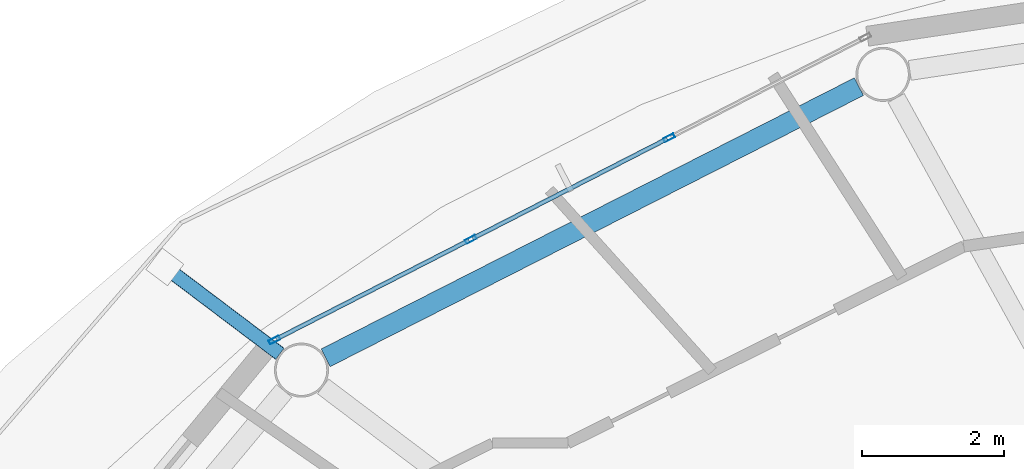
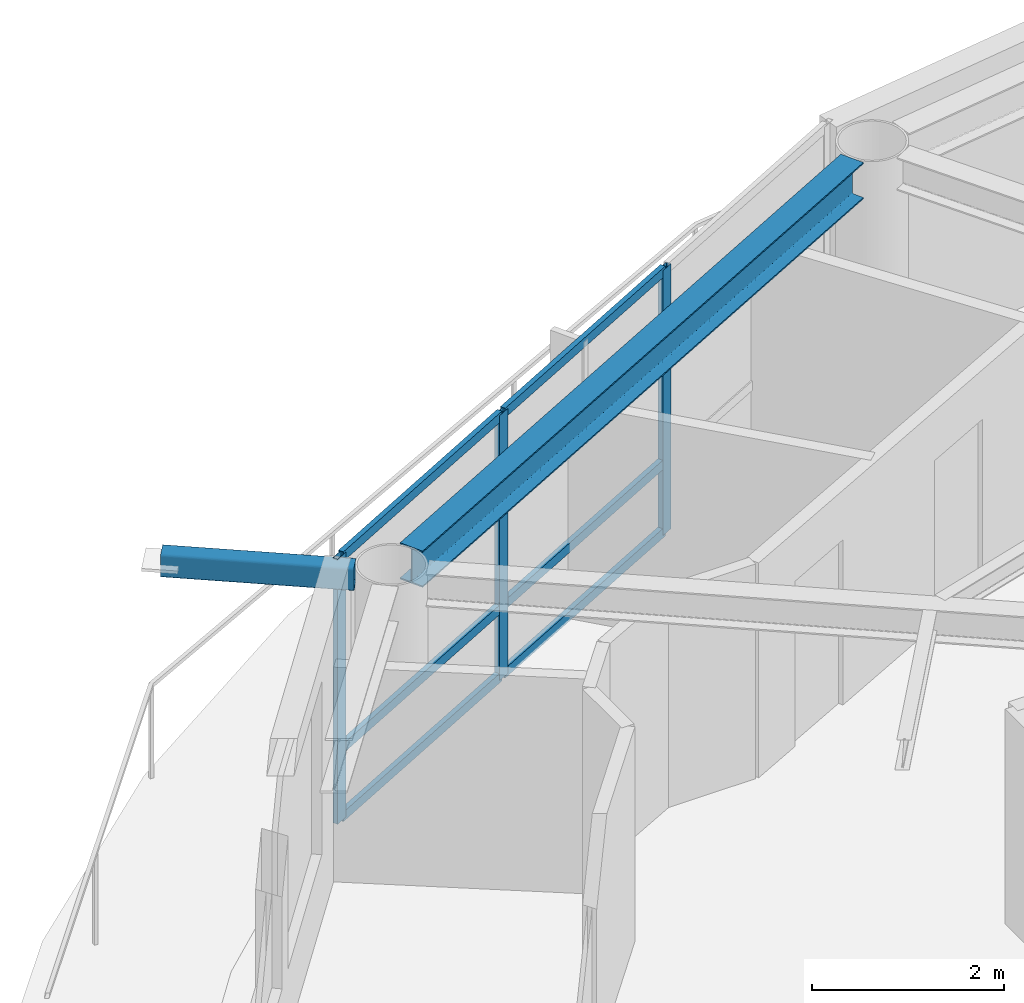
# One storey, part 8 of 22: 10 members, 1 beam, 1 element without a shape of its own.
"""IFC4 building model written with IfcOpenShell, lengths in metres."""

from ifc_helpers import new_model, si_unit, direction, frame, origin, origin_2d, place, context, subcontext, project, spatial, hollow_rectangle, i_section, extrude, material, layer, layer_set, material_profile, profile_set, type_object, element, aggregate, save


model = new_model("IFC4")

# Units and contexts
model_context = context("Model", 3, precision=1e-05, world=origin(), true_north=direction((0.0, 1.0)))
body_context = subcontext(model_context, "Body", "Model", "MODEL_VIEW")
ifc_project = project(units=[si_unit("LENGTHUNIT", "METRE"), si_unit("AREAUNIT", "SQUARE_METRE"), si_unit("VOLUMEUNIT", "CUBIC_METRE"), si_unit("PLANEANGLEUNIT", "RADIAN"), si_unit("MASSUNIT", "GRAM", prefix="KILO")], contexts=[model_context])

# Site, building, storey
site_placement = place(None, origin())
site = spatial("IfcSite", under=ifc_project, at=site_placement, CompositionType="ELEMENT")
building_placement = place(site_placement, origin())
building = spatial("IfcBuilding", under=site, at=building_placement, Name="Sarneth Arch Tower", CompositionType="ELEMENT")
storey_placement = place(building_placement, frame((0.0, 0.0, 283.800048828125)))
storey = spatial("IfcBuildingStorey", under=building, at=storey_placement, Name="L73", CompositionType="ELEMENT", Elevation=283.800048828125)

# Beam
ifc_material_1 = material(Name="Steel S355", Category="steel")
ifc_material_profile_1 = material_profile(ifc_material_1, i_section(OverallWidth=0.280029296875, OverallDepth=0.462890625, WebThickness=0.0107421875, FlangeThickness=0.017333984375, FilletRadius=0.01806640625, at=origin_2d()), Name="W460x113")
ifc_profile_set_1 = profile_set([ifc_material_profile_1], Name="Steel S355")
beam_type = type_object("IfcBeamType", Name="BM-RAD-460A", PredefinedType="BEAM", material=ifc_profile_set_1)
beam_placement = place(storey_placement, frame((37.86962890625, 59.565673828125, 3.138427734375), z_axis=(-0.891373613492, -0.453269325204, 0.0), x_axis=(0.453269325204, -0.891373613492, 0.0)))
element("IfcBeam", 1, at=beam_placement, inside=storey, type_object=beam_type, Name="L73 Perimeter spandrel beam 06", PredefinedType="BEAM", context=body_context, shape_type="SweptSolid", body=[
    extrude(i_section(OverallWidth=0.280029296875, OverallDepth=0.462890625, WebThickness=0.0107421875, FlangeThickness=0.017333984375, FilletRadius=0.01806640625, at=origin_2d()), origin(), (0.0, 0.0, 1.0), 8.419677734375),
])

# Curtain wall, members
ifc_material_2 = material(Name="Anodised aluminium Type AA25 and solar-control low-e laminated IGU", Category="aluminium")
ifc_layer = layer(ifc_material_2, 0.179931640625)
ifc_layer_set = layer_set([ifc_layer], Name="Anodised aluminium Type AA25 and solar-control low-e laminated IGU")
curtain_wall_type = type_object("IfcCurtainWallType", Name="CW-RES-HIGH", PredefinedType="NOTDEFINED", material=ifc_layer_set)
curtain_wall_placement = place(storey_placement, origin())
curtain_wall = element("IfcCurtainWall", 2, at=curtain_wall_placement, inside=storey, type_object=curtain_wall_type, Name="L73 Unitised curtain wall facet 06", PredefinedType="NOTDEFINED")
ifc_material_3 = material(Name="Anodised Aluminium 6063-T6", Category="aluminium")
ifc_material_profile_2 = material_profile(ifc_material_3, hollow_rectangle(XDim=0.06005859375, YDim=0.159912109375, WallThickness=0.00390625, at=origin_2d()), Name="AL-MULL-160x60x4")
ifc_profile_set_2 = profile_set([ifc_material_profile_2], Name="Anodised Aluminium 6063-T6")
member_type_1 = type_object("IfcMemberType", Name="CW-MULLION", PredefinedType="MULLION", material=ifc_profile_set_2)
member_1_placement = place(storey_placement, frame((35.197509765625, 58.844970703125, 0.0), z_axis=(0.0, 0.0, 1.0), x_axis=(0.455941901753, -0.890009540525, 0.0)))
member_1 = element("IfcMember", 3, at=member_1_placement, type_object=member_type_1, Name="CW-SYS-6 mullion 2", PredefinedType="MULLION", context=body_context, shape_type="SweptSolid", body=[
    extrude(hollow_rectangle(XDim=0.06005859375, YDim=0.159912109375, WallThickness=0.00390625, at=origin_2d()), origin(), (0.0, 0.0, 1.0), 3.369873046875),
])
member_2_placement = place(storey_placement, frame((32.407470703125, 57.415771484375, 0.0), z_axis=(0.0, 0.0, 1.0), x_axis=(0.455941901753, -0.890009540525, 0.0)))
member_2 = element("IfcMember", 4, at=member_2_placement, type_object=member_type_1, Name="CW-SYS-6 mullion 3", PredefinedType="MULLION", context=body_context, shape_type="SweptSolid", body=[
    extrude(hollow_rectangle(XDim=0.06005859375, YDim=0.159912109375, WallThickness=0.00390625, at=origin_2d()), origin(), (0.0, 0.0, 1.0), 3.369873046875),
])
member_3_placement = place(storey_placement, frame((29.644287109375, 56.000244140625, 0.0), z_axis=(0.0, 0.0, 1.0), x_axis=(0.455941901753, -0.890009540525, 0.0)))
member_3 = element("IfcMember", 5, at=member_3_placement, type_object=member_type_1, Name="CW-SYS-6 mullion 4", PredefinedType="MULLION", context=body_context, shape_type="SweptSolid", body=[
    extrude(hollow_rectangle(XDim=0.06005859375, YDim=0.159912109375, WallThickness=0.00390625, at=origin_2d()), origin(), (0.0, 0.0, 1.0), 3.369873046875),
])
ifc_material_4 = material(Name="Anodised Aluminium 6063-T6", Category="aluminium")
ifc_material_profile_3 = material_profile(ifc_material_4, hollow_rectangle(XDim=0.06005859375, YDim=0.1201171875, WallThickness=0.00390625, at=origin_2d()), Name="AL-TRAN-120x60x4")
ifc_profile_set_3 = profile_set([ifc_material_profile_3], Name="Anodised Aluminium 6063-T6")
member_type_2 = type_object("IfcMemberType", Name="CW-TRANSOM", PredefinedType="USERDEFINED", material=ifc_profile_set_3)
member_4_placement = place(storey_placement, frame((35.170654296875, 58.831298828125, 0.030029296875), z_axis=(-0.890017432405, -0.455926496286, 0.0), x_axis=(0.455926496286, -0.890017432405, 0.0)))
member_4 = element("IfcMember", 6, at=member_4_placement, type_object=member_type_2, Name="CW-SYS-6 transom 2.1", ObjectType="TRANSOM", PredefinedType="USERDEFINED", context=body_context, shape_type="SweptSolid", body=[
    extrude(hollow_rectangle(XDim=0.06005859375, YDim=0.1201171875, WallThickness=0.00390625, at=origin_2d()), origin(), (0.0, 0.0, 1.0), 3.07470703125),
])
member_5_placement = place(storey_placement, frame((35.170654296875, 58.831298828125, 0.89990234375), z_axis=(-0.890017432405, -0.455926496286, 0.0), x_axis=(0.455926496286, -0.890017432405, 0.0)))
member_5 = element("IfcMember", 7, at=member_5_placement, type_object=member_type_2, Name="CW-SYS-6 transom 2.2", ObjectType="TRANSOM", PredefinedType="USERDEFINED", context=body_context, shape_type="SweptSolid", body=[
    extrude(hollow_rectangle(XDim=0.06005859375, YDim=0.1201171875, WallThickness=0.00390625, at=origin_2d()), origin(), (0.0, 0.0, 1.0), 3.07470703125),
])
member_6_placement = place(storey_placement, frame((35.170654296875, 58.831298828125, 3.33984375), z_axis=(-0.890017432405, -0.455926496286, 0.0), x_axis=(0.455926496286, -0.890017432405, 0.0)))
member_6 = element("IfcMember", 8, at=member_6_placement, type_object=member_type_2, Name="CW-SYS-6 transom 2.3", ObjectType="TRANSOM", PredefinedType="USERDEFINED", context=body_context, shape_type="SweptSolid", body=[
    extrude(hollow_rectangle(XDim=0.06005859375, YDim=0.1201171875, WallThickness=0.00390625, at=origin_2d()), origin(), (0.0, 0.0, 1.0), 3.07470703125),
])
member_7_placement = place(storey_placement, frame((32.380859375, 57.402099609375, 0.030029296875), z_axis=(-0.890022732705, -0.455916149384, 0.0), x_axis=(0.455916149384, -0.890022732705, 0.0)))
member_7 = element("IfcMember", 9, at=member_7_placement, type_object=member_type_2, Name="CW-SYS-6 transom 3.1", ObjectType="TRANSOM", PredefinedType="USERDEFINED", context=body_context, shape_type="SweptSolid", body=[
    extrude(hollow_rectangle(XDim=0.06005859375, YDim=0.1201171875, WallThickness=0.00390625, at=origin_2d()), origin(), (0.0, 0.0, 1.0), 3.044921875),
])
member_8_placement = place(storey_placement, frame((32.380859375, 57.402099609375, 0.89990234375), z_axis=(-0.890022732705, -0.455916149384, 0.0), x_axis=(0.455916149384, -0.890022732705, 0.0)))
member_8 = element("IfcMember", 10, at=member_8_placement, type_object=member_type_2, Name="CW-SYS-6 transom 3.2", ObjectType="TRANSOM", PredefinedType="USERDEFINED", context=body_context, shape_type="SweptSolid", body=[
    extrude(hollow_rectangle(XDim=0.06005859375, YDim=0.1201171875, WallThickness=0.00390625, at=origin_2d()), origin(), (0.0, 0.0, 1.0), 3.044921875),
])
member_9_placement = place(storey_placement, frame((32.380859375, 57.402099609375, 3.33984375), z_axis=(-0.890022732705, -0.455916149384, 0.0), x_axis=(0.455916149384, -0.890022732705, 0.0)))
member_9 = element("IfcMember", 11, at=member_9_placement, type_object=member_type_2, Name="CW-SYS-6 transom 3.3", ObjectType="TRANSOM", PredefinedType="USERDEFINED", context=body_context, shape_type="SweptSolid", body=[
    extrude(hollow_rectangle(XDim=0.06005859375, YDim=0.1201171875, WallThickness=0.00390625, at=origin_2d()), origin(), (0.0, 0.0, 1.0), 3.044921875),
])
aggregate(curtain_wall, [member_1, member_2, member_3, member_4, member_5, member_6, member_7, member_8, member_9])

# Member
ifc_material_5 = material(Name="Steel S355", Category="steel")
ifc_material_profile_4 = material_profile(ifc_material_5, hollow_rectangle(XDim=0.199951171875, YDim=0.300048828125, WallThickness=0.012451171875, InnerFilletRadius=0.018798828125, OuterFilletRadius=0.03125, at=origin_2d()), Name="RHS300x200x12.5")
ifc_profile_set_4 = profile_set([ifc_material_profile_4], Name="Steel S355")
member_type_3 = type_object("IfcMemberType", Name="MEM-CANT-STRUT", PredefinedType="STRUT", material=ifc_profile_set_4)
member_10_placement = place(storey_placement, frame((29.720703125, 55.80615234375, 3.2099609375), z_axis=(-0.797930342302, 0.602749673442, 0.0), x_axis=(-0.602749673442, -0.797930342302, 0.0)))
element("IfcMember", 12, at=member_10_placement, inside=storey, type_object=member_type_3, Name="L73 Balcony cantilever bracket 07", PredefinedType="STRUT", context=body_context, shape_type="SweptSolid", body=[
    extrude(hollow_rectangle(XDim=0.199951171875, YDim=0.300048828125, WallThickness=0.012451171875, InnerFilletRadius=0.018798828125, OuterFilletRadius=0.03125, at=origin_2d()), origin(), (0.0, 0.0, 1.0), 2.02880859375),
])

save(model, "model.ifc")
